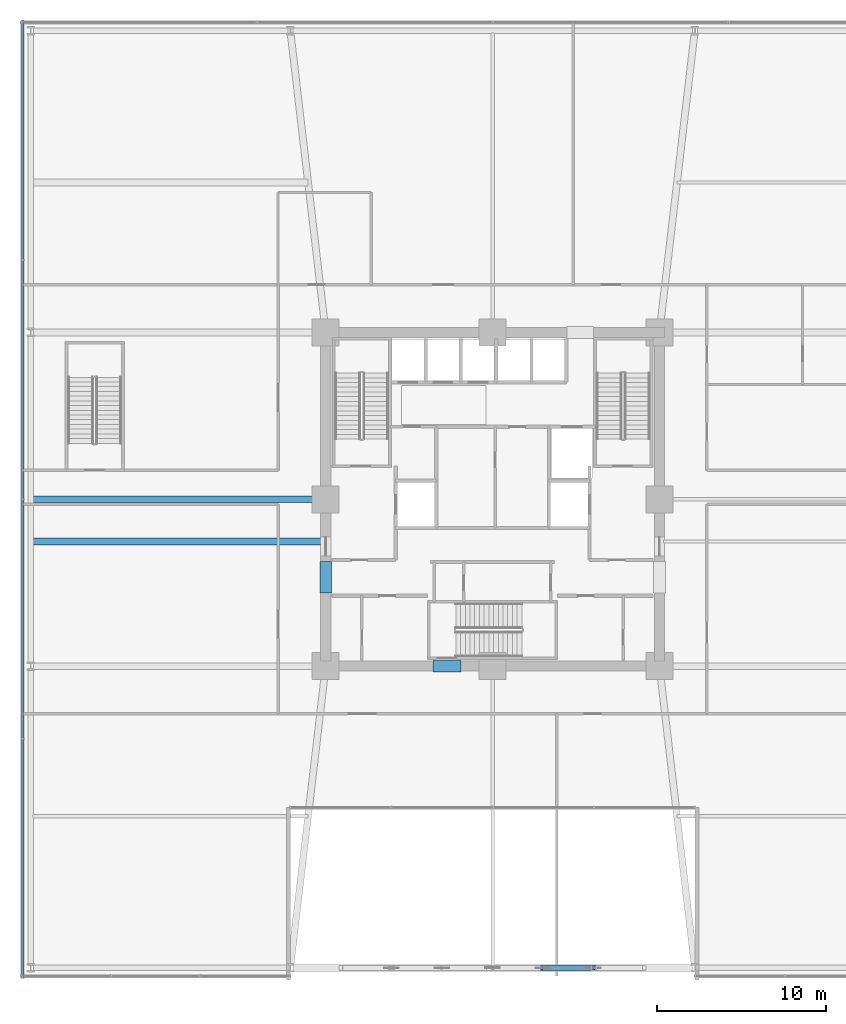
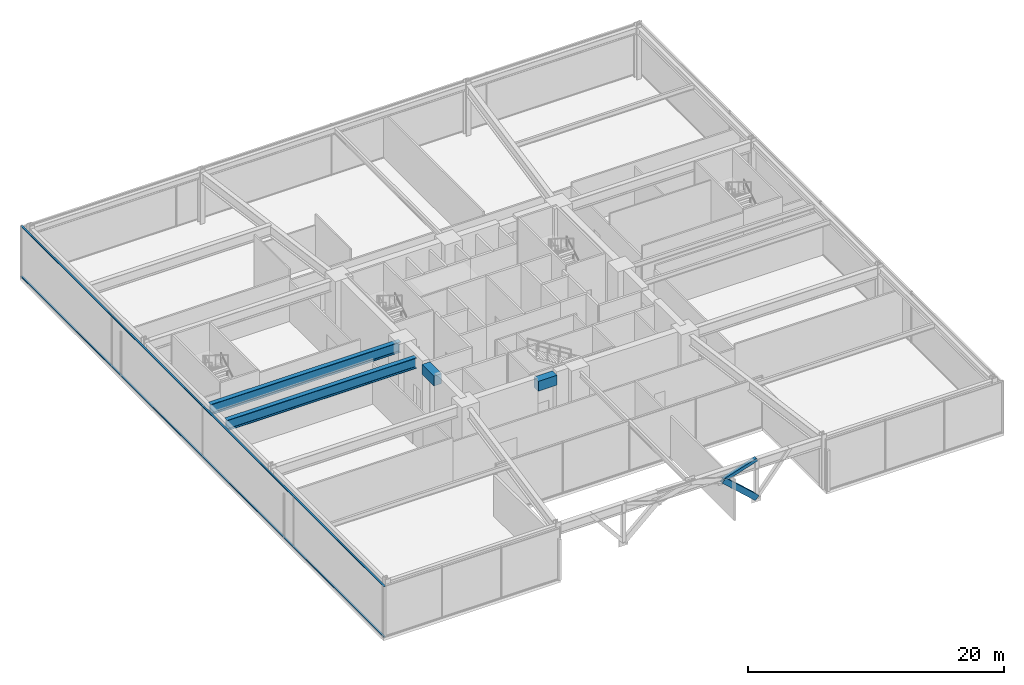
# One storey, part 15 of 49: 4 beams, 4 members, 1 element without a shape of its own.
"""IFC4 building model written with IfcOpenShell, lengths in metres."""

from ifc_helpers import new_model, si_unit, direction, frame, origin, origin_2d, place, context, subcontext, project, spatial, rectangle, hollow_rectangle, i_section, extrude, material, material_profile, profile_set, type_object, element, aggregate, save


model = new_model("IFC4")

# Units and contexts
model_context = context("Model", 3, precision=1e-05, world=origin(), true_north=direction((0.0, 1.0)))
body_context = subcontext(model_context, "Body", "Model", "MODEL_VIEW")
ifc_project = project(units=[si_unit("LENGTHUNIT", "METRE"), si_unit("AREAUNIT", "SQUARE_METRE"), si_unit("VOLUMEUNIT", "CUBIC_METRE"), si_unit("PLANEANGLEUNIT", "RADIAN"), si_unit("MASSUNIT", "GRAM", prefix="KILO")], contexts=[model_context])

# Site, building, storey
site_placement = place(None, origin())
site = spatial("IfcSite", under=ifc_project, at=site_placement, CompositionType="ELEMENT")
building_placement = place(site_placement, origin())
building = spatial("IfcBuilding", under=site, at=building_placement, Name="Kolvaren Belvedere", CompositionType="ELEMENT")
storey_placement = place(building_placement, frame((0.0, 0.0, 10.0)))
storey = spatial("IfcBuildingStorey", under=building, at=storey_placement, Name="L03", CompositionType="ELEMENT", Elevation=10.0)

# Beams
ifc_material_1 = material(Name="Structural steel ASTM A992 Grade 50", Category="steel")
ifc_material_profile_1 = material_profile(ifc_material_1, i_section(OverallWidth=0.40087890625, OverallDepth=1.010986328125, WebThickness=0.023681640625, FlangeThickness=0.0419921875, FilletRadius=0.030029296875, at=origin_2d()), Name="W40X297")
ifc_profile_set_1 = profile_set([ifc_material_profile_1], Name="Structural steel ASTM A992 Grade 50")
beam_type_1 = type_object("IfcBeamType", Name="BM-BALL-W40X297", PredefinedType="BEAM", material=ifc_profile_set_1)
for number, where, z_axis, x_axis, name in (
    (1, (-27.280029296875, -2.5, 4.41455078125), (1.0, 0.0, 0.0), (0.0, 1.0, 0.0), "L03 West Bay Floor Beam"),
    (2, (-27.280029296875, 0.0, 4.41455078125), (1.0, 0.0, 0.0), (0.0, 1.0, 0.0), "L03 West Bay Floor Beam"),
):
    element("IfcBeam", number, at=place(storey_placement, frame(where, z_axis=z_axis, x_axis=x_axis)), inside=storey, type_object=beam_type_1, Name=name, PredefinedType="BEAM", context=body_context, shape_type="SweptSolid", body=[
        extrude(i_section(OverallWidth=0.40087890625, OverallDepth=1.010986328125, WebThickness=0.023681640625, FlangeThickness=0.0419921875, FilletRadius=0.030029296875, at=origin_2d()), origin(), (0.0, 0.0, 1.0), 17.130126953125),
    ])
ifc_material_2 = material(Name="Concrete C60/75", Category="concrete")
ifc_material_profile_2 = material_profile(ifc_material_2, rectangle(XDim=0.699951171875, YDim=0.949951171875, at=origin_2d()), Name="RC 700X950")
ifc_profile_set_2 = profile_set([ifc_material_profile_2], Name="Concrete C60/75")
beam_type_2 = type_object("IfcBeamType", Name="BM-LINT-950", PredefinedType="LINTEL", material=ifc_profile_set_2)
beam_1_placement = place(storey_placement, frame((-3.5400390625, -9.89990234375, 4.445068359375), z_axis=(1.0, 0.0, 0.0), x_axis=(0.0, 1.0, 0.0)))
element("IfcBeam", 3, at=beam_1_placement, inside=storey, type_object=beam_type_2, Name="L03 South Core Coupling Lintel", PredefinedType="LINTEL", context=body_context, shape_type="SweptSolid", body=[
    extrude(rectangle(XDim=0.699951171875, YDim=0.949951171875, at=origin_2d()), origin(), (0.0, 0.0, 1.0), 1.679931640625),
])
beam_2_placement = place(storey_placement, frame((-9.89990234375, -5.550048828125, 4.445068359375), z_axis=(0.0, 1.0, 0.0), x_axis=(-1.0, 0.0, 0.0)))
element("IfcBeam", 4, at=beam_2_placement, inside=storey, type_object=beam_type_2, Name="L03 West Core Coupling Lintel", PredefinedType="LINTEL", context=body_context, shape_type="SweptSolid", body=[
    extrude(rectangle(XDim=0.699951171875, YDim=0.949951171875, at=origin_2d()), origin(), (0.0, 0.0, 1.0), 1.85009765625),
])

# Curtain wall, members
ifc_material_3 = material(Name="Anodised pale-metal aluminium AA 6063-T6", Category="aluminium")
curtain_wall_type = type_object("IfcCurtainWallType", Name="CW-POD-A", PredefinedType="NOTDEFINED", material=ifc_material_3)
curtain_wall_placement = place(storey_placement, origin())
curtain_wall = element("IfcCurtainWall", 5, at=curtain_wall_placement, inside=storey, type_object=curtain_wall_type, Name="L03 Unitised Curtain Wall FCW-L03-SEG8", PredefinedType="NOTDEFINED")
ifc_material_4 = material(Name="Anodised pale-metal aluminium AA 6063-T6", Category="aluminium")
ifc_material_profile_3 = material_profile(ifc_material_4, hollow_rectangle(XDim=0.06494140625, YDim=0.159912109375, WallThickness=0.00390625, at=origin_2d()), Name="ALU-TRN-160X65")
ifc_profile_set_3 = profile_set([ifc_material_profile_3], Name="Anodised pale-metal aluminium AA 6063-T6")
member_type_1 = type_object("IfcMemberType", Name="CW-TRN-160", PredefinedType="USERDEFINED", material=ifc_profile_set_3)
member_1_placement = place(storey_placement, frame((-27.8798828125, -28.39990234375, 0.06005859375), z_axis=(0.0, 1.0, 0.0), x_axis=(0.0, 0.0, 1.0)))
member_1 = element("IfcMember", 6, at=member_1_placement, type_object=member_type_1, Name="FCW-L03-SEG8 Sill Transom", ObjectType="TRANSOM", PredefinedType="USERDEFINED", context=body_context, shape_type="SweptSolid", body=[
    extrude(hollow_rectangle(XDim=0.06494140625, YDim=0.159912109375, WallThickness=0.00390625, at=origin_2d()), origin(), (0.0, 0.0, 1.0), 56.7998046875),
])
member_2_placement = place(storey_placement, frame((-27.8798828125, -28.39990234375, 4.860107421875), z_axis=(0.0, 1.0, 0.0), x_axis=(0.0, 0.0, 1.0)))
member_2 = element("IfcMember", 7, at=member_2_placement, type_object=member_type_1, Name="FCW-L03-SEG8 Head Transom", ObjectType="TRANSOM", PredefinedType="USERDEFINED", context=body_context, shape_type="SweptSolid", body=[
    extrude(hollow_rectangle(XDim=0.06494140625, YDim=0.159912109375, WallThickness=0.00390625, at=origin_2d()), origin(), (0.0, 0.0, 1.0), 56.7998046875),
])
aggregate(curtain_wall, [member_1, member_2])

# Members
ifc_material_5 = material(Name="Structural steel ASTM A500 Grade C", Category="steel")
ifc_material_profile_4 = material_profile(ifc_material_5, hollow_rectangle(XDim=0.304931640625, YDim=0.508056640625, WallThickness=0.014892578125, at=origin_2d()), Name="HSS20X12X5/8")
ifc_profile_set_4 = profile_set([ifc_material_profile_4], Name="Structural steel ASTM A500 Grade C")
member_type_2 = type_object("IfcMemberType", Name="MB-ARCH-CHORD", PredefinedType="CHORD", material=ifc_profile_set_4)
member_3_placement = place(storey_placement, frame((3.0, -27.800048828125, 3.893798828125), z_axis=(0.740986951436, 0.0, -0.671519424739), x_axis=(0.0, 1.0, 0.0)))
element("IfcMember", 8, at=member_3_placement, inside=storey, type_object=member_type_2, Name="Giant Portal Arch Rib Chord AC-6", PredefinedType="CHORD", context=body_context, shape_type="SweptSolid", body=[
    extrude(hollow_rectangle(XDim=0.304931640625, YDim=0.508056640625, WallThickness=0.014892578125, at=origin_2d()), origin(), (0.0, 0.0, 1.0), 4.048583984375),
])
ifc_material_6 = material(Name="Structural steel ASTM A500 Grade C", Category="steel")
ifc_material_profile_5 = material_profile(ifc_material_6, hollow_rectangle(XDim=0.304931640625, YDim=0.304931640625, WallThickness=0.01171875, at=origin_2d()), Name="HSS12X12X1/2")
ifc_profile_set_5 = profile_set([ifc_material_profile_5], Name="Structural steel ASTM A500 Grade C")
member_type_3 = type_object("IfcMemberType", Name="MB-ARCH-WEB", PredefinedType="BRACE", material=ifc_profile_set_5)
member_4_placement = place(storey_placement, frame((3.0, -27.800048828125, 3.893798828125), z_axis=(0.952764754613, 0.0, 0.303709272772), x_axis=(0.0, 1.0, 0.0)))
element("IfcMember", 9, at=member_4_placement, inside=storey, type_object=member_type_3, Name="Portal Arch Web Diagonal AD-5", PredefinedType="BRACE", context=body_context, shape_type="SweptSolid", body=[
    extrude(hollow_rectangle(XDim=0.304931640625, YDim=0.304931640625, WallThickness=0.01171875, at=origin_2d()), origin(), (0.0, 0.0, 1.0), 3.148681640625),
])

save(model, "model.ifc")
